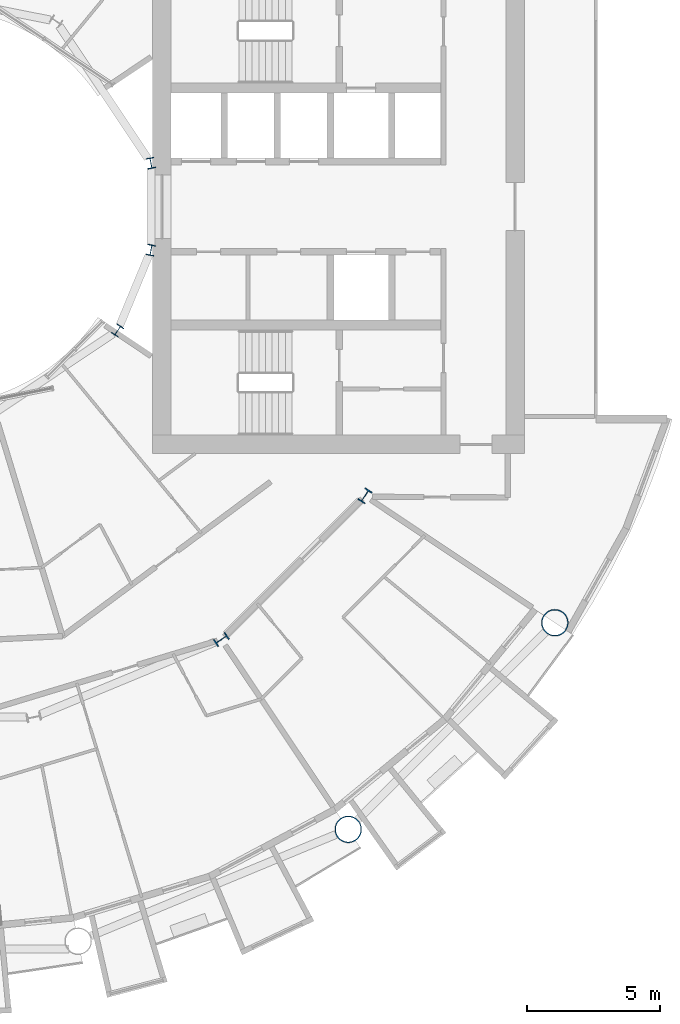
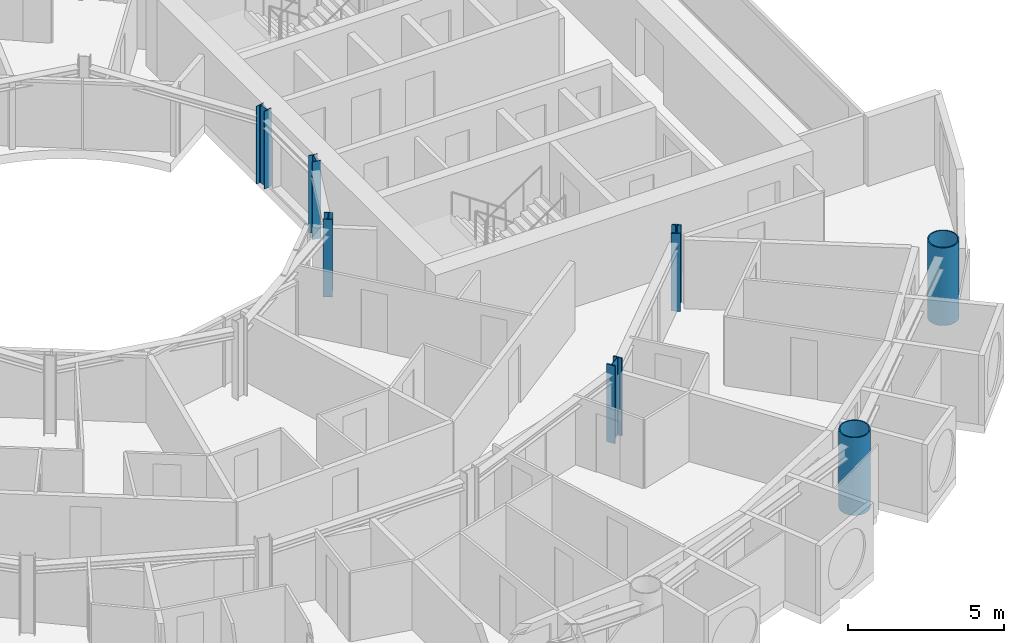
# One storey, part 2 of 26: 7 columns.
"""IFC4 building model written with IfcOpenShell, lengths in metres."""

from ifc_helpers import new_model, si_unit, direction, frame, origin, origin_2d, place, context, subcontext, project, spatial, hollow_circle, i_section, extrude, material, material_profile, profile_set, type_object, element, save


model = new_model("IFC4")

# Units and contexts
model_context = context("Model", 3, precision=1e-05, world=origin(), true_north=direction((0.0, 1.0)))
body_context = subcontext(model_context, "Body", "Model", "MODEL_VIEW")
ifc_project = project(units=[si_unit("LENGTHUNIT", "METRE"), si_unit("AREAUNIT", "SQUARE_METRE"), si_unit("VOLUMEUNIT", "CUBIC_METRE"), si_unit("PLANEANGLEUNIT", "RADIAN"), si_unit("MASSUNIT", "GRAM", prefix="KILO")], contexts=[model_context])

# Site, building, storey
site_placement = place(None, origin())
site = spatial("IfcSite", under=ifc_project, at=site_placement, CompositionType="ELEMENT")
building_placement = place(site_placement, origin())
building = spatial("IfcBuilding", under=site, at=building_placement, Name="Maasbend Ring Residences", CompositionType="ELEMENT")
storey_placement = place(building_placement, frame((0.0, 0.0, 91.050048828125)))
storey = spatial("IfcBuildingStorey", under=building, at=storey_placement, Name="L26", CompositionType="ELEMENT", Elevation=91.050048828125)

# Columns
ifc_material_1 = material(Name="Composite concrete-filled steel tube S460NH / C80/95", Category="concrete")
ifc_material_profile_1 = material_profile(ifc_material_1, hollow_circle(Radius=0.508056640625, WallThickness=0.0400390625, at=origin_2d()), Name="Composite tube column CHS 1016x40")
ifc_profile_set_1 = profile_set([ifc_material_profile_1], Name="Composite concrete-filled steel tube S460NH / C80/95")
column_type_1 = type_object("IfcColumnType", Name="Composite tube column CHS 1016x40", PredefinedType="COLUMN", material=ifc_profile_set_1)
for number, where, z_axis, x_axis, name in (
    (1, (15.6669921875, -23.447509765625, 0.0), (0.0, 0.0, 1.0), (1.0, 0.0, 0.0), "Outer column R14"),
    (2, (23.447509765625, -15.6669921875, 0.0), (0.0, 0.0, 1.0), (1.0, 0.0, 0.0), "Outer column R15"),
):
    element("IfcColumn", number, at=place(storey_placement, frame(where, z_axis=z_axis, x_axis=x_axis)), inside=storey, type_object=column_type_1, Name=name, PredefinedType="COLUMN", context=body_context, shape_type="SweptSolid", body=[
        extrude(hollow_circle(Radius=0.508056640625, WallThickness=0.0400390625, at=origin_2d()), origin(), (0.0, 0.0, 1.0), 3.050048828125),
    ])
ifc_material_2 = material(Name="Steel S355J2", Category="steel")
ifc_material_profile_2 = material_profile(ifc_material_2, i_section(OverallWidth=0.300048828125, OverallDepth=0.39990234375, WebThickness=0.013427734375, FlangeThickness=0.02392578125, FilletRadius=0.027099609375, at=origin_2d()), Name="HEB 400")
ifc_profile_set_2 = profile_set([ifc_material_profile_2], Name="Steel S355J2")
column_type_2 = type_object("IfcColumnType", Name="Steel column HEB 400", PredefinedType="COLUMN", material=ifc_profile_set_2)
for number, where, z_axis, x_axis, name in (
    (3, (8.238525390625, 1.638916015625, 0.0), (0.0, 0.0, 1.0), (0.980785280403, 0.195090322016, 0.0), "Well ring column R1"),
    (4, (6.984375, -4.666748046875, 0.0), (0.0, 0.0, 1.0), (0.831469612303, -0.55557023302, 0.0), "Well ring column R15"),
    (5, (8.238525390625, -1.638916015625, 0.0), (0.0, 0.0, 1.0), (0.980785280403, -0.195090322016, 0.0), "Well ring column R16"),
):
    element("IfcColumn", number, at=place(storey_placement, frame(where, z_axis=z_axis, x_axis=x_axis)), inside=storey, type_object=column_type_2, Name=name, PredefinedType="COLUMN", context=body_context, shape_type="SweptSolid", body=[
        extrude(i_section(OverallWidth=0.300048828125, OverallDepth=0.39990234375, WebThickness=0.013427734375, FlangeThickness=0.02392578125, FilletRadius=0.027099609375, at=origin_2d()), origin(), (0.0, 0.0, 1.0), 3.050048828125),
    ])
ifc_material_3 = material(Name="Steel S460M", Category="steel")
ifc_material_profile_3 = material_profile(ifc_material_3, i_section(OverallWidth=0.305908203125, OverallDepth=0.52392578125, WebThickness=0.02099609375, FlangeThickness=0.0400390625, FilletRadius=0.027099609375, at=origin_2d()), Name="HEM 500")
ifc_profile_set_3 = profile_set([ifc_material_profile_3], Name="Steel S460M")
column_type_3 = type_object("IfcColumnType", Name="Steel column HEM 500", PredefinedType="COLUMN", material=ifc_profile_set_3)
for number, where, z_axis, x_axis, name in (
    (6, (10.88916015625, -16.296875, 0.0), (0.0, 0.0, 1.0), (0.55557023302, -0.831469612303, 0.0), "Corridor ring column R14"),
    (7, (16.296875, -10.88916015625, 0.0), (0.0, 0.0, 1.0), (0.831469612303, -0.55557023302, 0.0), "Corridor ring column R15"),
):
    element("IfcColumn", number, at=place(storey_placement, frame(where, z_axis=z_axis, x_axis=x_axis)), inside=storey, type_object=column_type_3, Name=name, PredefinedType="COLUMN", context=body_context, shape_type="SweptSolid", body=[
        extrude(i_section(OverallWidth=0.305908203125, OverallDepth=0.52392578125, WebThickness=0.02099609375, FlangeThickness=0.0400390625, FilletRadius=0.027099609375, at=origin_2d()), origin(), (0.0, 0.0, 1.0), 3.050048828125),
    ])

save(model, "model.ifc")
